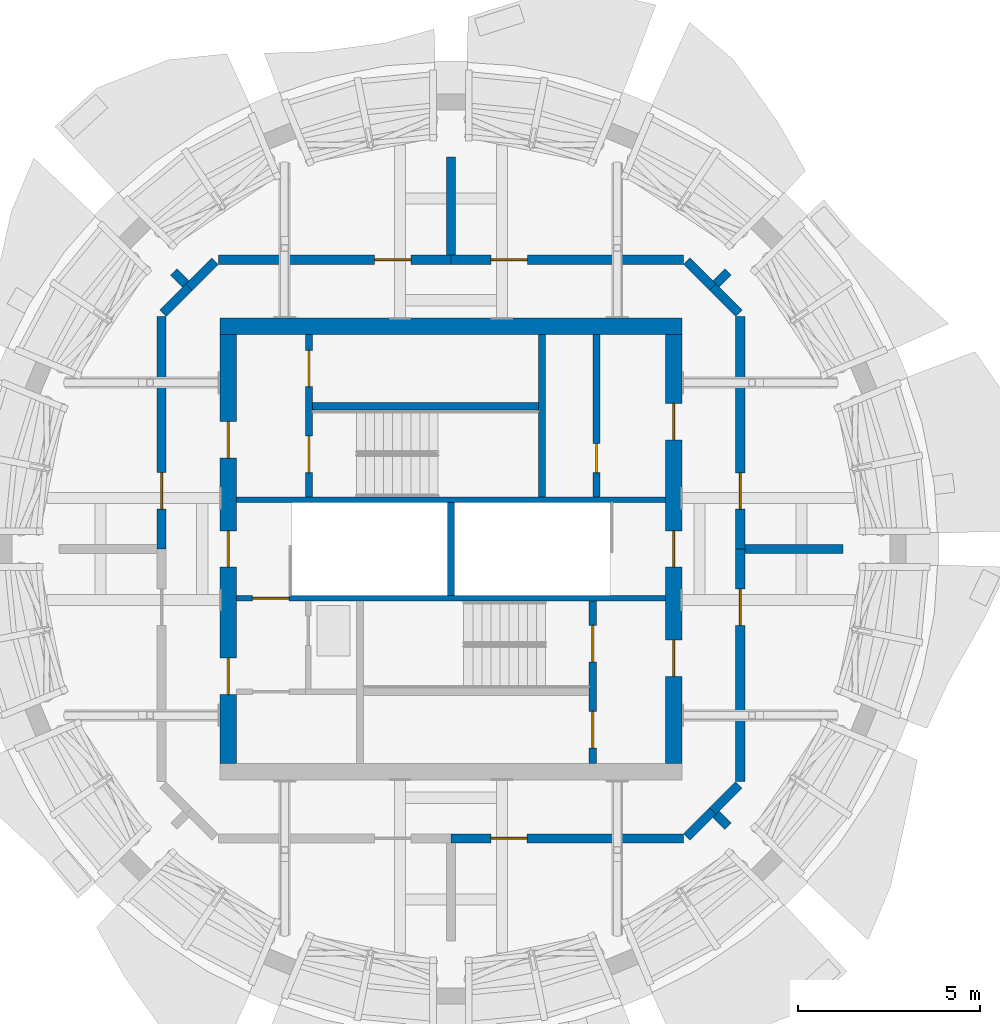
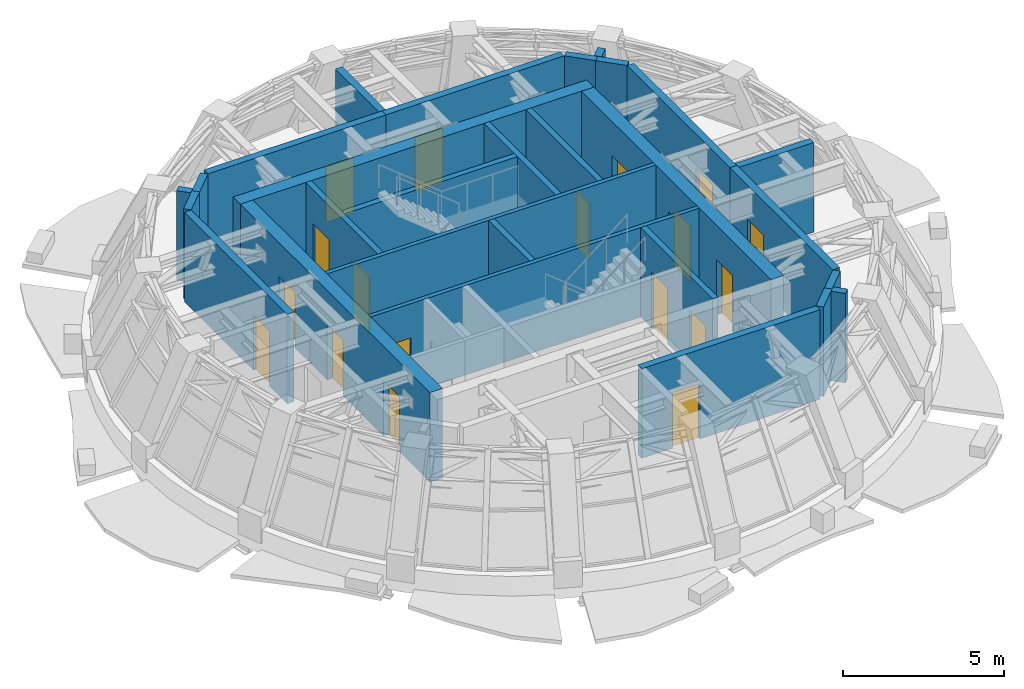
# One storey, part 9 of 12: 28 walls, 18 doors, 18 openings.
"""IFC4 building model written with IfcOpenShell, lengths in metres."""

import ifcopenshell
import ifcopenshell.guid

model = None  # the IFC model being written
_history = None  # IfcOwnerHistory: only IFC2X3 demands one
_inside = {}  # id of a spatial element -> (the spatial element, [elements in it])
_under = {}  # id of a project, library or spatial element -> (it, [spatial elements below it])
_declared = {}  # id of a project -> (the project, [libraries it declares])
_typed = {}  # id of a type object -> (the type object, [elements of that type])
_made_of = {}  # id of a material, layer set ... -> (it, [elements and type objects made of it])


def new_model(schema):
    """Start an empty IFC model of exactly this schema.

    Asked for "IFC4X3", IfcOpenShell would pick the latest addendum, in which some entities
    have other attributes; the version numbers below select the first issue.
    IFC2X3 requires an IfcOwnerHistory on every rooted entity: one is made here for all.
    """
    global model, _history
    if schema == "IFC4X3":
        model = ifcopenshell.file(schema_version=(4, 3, 0, 0))
    else:
        model = ifcopenshell.file(schema=schema)
    _inside.clear()
    _under.clear()
    _declared.clear()
    _typed.clear()
    _made_of.clear()
    _history = None
    if model.schema == "IFC2X3":
        org = make("IfcOrganization", Name="unknown")
        user = make(
            "IfcPersonAndOrganization",
            ThePerson=make("IfcPerson", FamilyName="unknown"),
            TheOrganization=org,
        )
        app = make(
            "IfcApplication",
            ApplicationDeveloper=org,
            Version="unknown",
            ApplicationFullName="unknown",
            ApplicationIdentifier="unknown",
        )
        _history = make(
            "IfcOwnerHistory",
            OwningUser=user,
            OwningApplication=app,
            ChangeAction="ADDED",
            CreationDate=0,
        )
    return model


def make(cls, **values):
    """One entity of the class cls with the attributes given. An attribute that is None is left unset."""
    return model.create_entity(
        cls, **{name: value for name, value in values.items() if value is not None}
    )


def rooted(cls, **values):
    """An entity with a GlobalId (a new one), such as an element, a storey or a relation."""
    return make(cls, GlobalId=ifcopenshell.guid.new(), OwnerHistory=_history, **values)


def si_unit(unit_type, name, prefix=None):
    """IfcSIUnit, for example si_unit("LENGTHUNIT", "METRE", prefix="MILLI")."""
    return make("IfcSIUnit", UnitType=unit_type, Prefix=prefix, Name=name)


def assignment(units):
    """IfcUnitAssignment: the units of a project."""
    return None if units is None else make("IfcUnitAssignment", Units=units)


def point(xyz):
    """IfcCartesianPoint."""
    return None if xyz is None else make("IfcCartesianPoint", Coordinates=xyz)


def direction(xyz):
    """IfcDirection."""
    return None if xyz is None else make("IfcDirection", DirectionRatios=xyz)


def frame(location, z_axis=None, x_axis=None):
    """IfcAxis2Placement3D, a coordinate frame: its origin and axes. An axis left out is left unset."""
    return make(
        "IfcAxis2Placement3D",
        Location=point(location),
        Axis=direction(z_axis),
        RefDirection=direction(x_axis),
    )


def frame_2d(location, x_axis=None):
    """IfcAxis2Placement2D, a coordinate frame in the plane: its origin and x axis."""
    return make(
        "IfcAxis2Placement2D", Location=point(location), RefDirection=direction(x_axis)
    )


def origin():
    """The frame at (0, 0, 0) with its axes left unset."""
    return frame((0.0, 0.0, 0.0))


def place(relative_to, where):
    """IfcLocalPlacement: puts the frame where relative to a parent placement (None: the world)."""
    return make(
        "IfcLocalPlacement", PlacementRelTo=relative_to, RelativePlacement=where
    )


def context(
    kind, dimensions, precision=None, world=None, true_north=None, identifier=None
):
    """IfcGeometricRepresentationContext, for example the 3D "Model" context."""
    return make(
        "IfcGeometricRepresentationContext",
        ContextIdentifier=identifier,
        ContextType=kind,
        CoordinateSpaceDimension=dimensions,
        Precision=precision,
        WorldCoordinateSystem=world,
        TrueNorth=true_north,
    )


def subcontext(parent, identifier, kind, view, scale=None):
    """IfcGeometricRepresentationSubContext, for example "Body" below "Model"."""
    return make(
        "IfcGeometricRepresentationSubContext",
        ContextIdentifier=identifier,
        ContextType=kind,
        ParentContext=parent,
        TargetScale=scale,
        TargetView=view,
    )


def project(units=None, contexts=None):
    """IfcProject with its units and contexts."""
    return rooted(
        "IfcProject",
        Name="project",
        RepresentationContexts=contexts,
        UnitsInContext=assignment(units),
    )


def spatial(cls, under=None, at=None, **own):
    """A site, building, storey or space (cls), placed at a placement, below another one or the project."""
    s = rooted(cls, ObjectPlacement=at, **own)
    if under is not None:
        _under.setdefault(under.id(), (under, []))[1].append(s)
    return s


def profile(cls, at=None, kind="AREA", **sizes):
    """A parametric profile (cls). Its sizes go by their IFC names, for example OverallWidth=200.0."""
    return make(cls, ProfileType=kind, Position=at, **sizes)


def rectangle(**sizes):
    """IfcRectangleProfileDef."""
    return profile("IfcRectangleProfileDef", **sizes)


def extrude(swept, where, along, depth):
    """IfcExtrudedAreaSolid: the profile swept, set in the frame where, extruded along a direction by depth."""
    return make(
        "IfcExtrudedAreaSolid",
        SweptArea=swept,
        Position=where,
        ExtrudedDirection=direction(along),
        Depth=depth,
    )


def shape(context_of_items, identifier, shape_type, items):
    """IfcShapeRepresentation: the items that make up one representation, for example the "Body"."""
    return make(
        "IfcShapeRepresentation",
        ContextOfItems=context_of_items,
        RepresentationIdentifier=identifier,
        RepresentationType=shape_type,
        Items=items,
    )


def material(Name=None, Category=None):
    """IfcMaterial."""
    return make("IfcMaterial", Name=Name, Category=Category)


def layer(
    of_material, thickness, ventilated=None, Name=None, Category=None, Priority=None
):
    """IfcMaterialLayer: one layer of a wall or slab, of a material (None: an air gap)."""
    return make(
        "IfcMaterialLayer",
        Material=of_material,
        LayerThickness=thickness,
        IsVentilated=ventilated,
        Name=Name,
        Category=Category,
        Priority=Priority,
    )


def layer_set(layers, Name=None):
    """IfcMaterialLayerSet."""
    return make("IfcMaterialLayerSet", MaterialLayers=layers, LayerSetName=Name)


def made_of(thing, what):
    """Note that an element or type object is made of a material, layer set ...; save() writes the relation."""
    if what is not None:
        _made_of.setdefault(what.id(), (what, []))[1].append(thing)
    return thing


def type_object(cls, material=None, **own):
    """A type object (cls), such as IfcWallType, which elements share."""
    return made_of(rooted(cls, **own), material)


def element(
    cls,
    number,
    at=None,
    inside=None,
    cuts=None,
    type_object=None,
    material=None,
    context=None,
    identifier="Body",
    shape_type=None,
    held_by="IfcProductDefinitionShape",
    body=None,
    shapes=None,
    **own,
):
    """One element of the class cls, such as IfcWall. Its Tag is "e" and its number.

    at: its placement. inside: the storey or other place that contains it. cuts: it is an
    opening in that element (IfcRelVoidsElement). A single representation is given by context,
    identifier, shape_type and body (its items); several are given by shapes. held_by: the class
    of the entity that holds the representations. save() writes the other relations.
    """
    e = rooted(cls, Tag="e%d" % number, ObjectPlacement=at, **own)
    if body is not None:
        shapes = [shape(context, identifier, shape_type, body)]
    if shapes is not None:
        e.Representation = make(held_by, Representations=shapes)
    if inside is not None:
        _inside.setdefault(inside.id(), (inside, []))[1].append(e)
    if cuts is not None:
        rooted(
            "IfcRelVoidsElement", RelatingBuildingElement=cuts, RelatedOpeningElement=e
        )
    if type_object is not None:
        _typed.setdefault(type_object.id(), (type_object, []))[1].append(e)
    return made_of(e, material)


def fill(opening, filler):
    """IfcRelFillsElement: the door or window that sits in an opening."""
    return rooted(
        "IfcRelFillsElement",
        RelatingOpeningElement=opening,
        RelatedBuildingElement=filler,
    )


def aggregate(whole, parts):
    """IfcRelAggregates: a whole, such as a stair, and the parts it consists of."""
    return rooted("IfcRelAggregates", RelatingObject=whole, RelatedObjects=parts)


def save(model, path):
    """Write the relations noted so far, then the file.

    IfcRelAggregates (storeys below a building ...), IfcRelContainedInSpatialStructure (elements
    in a storey), IfcRelDefinesByType, IfcRelAssociatesMaterial and IfcRelDeclares: one each for
    every whole, place, type object, material and project.
    """
    for whole, parts in _under.values():
        aggregate(whole, parts)
    for where, things in _inside.values():
        rooted(
            "IfcRelContainedInSpatialStructure",
            RelatedElements=things,
            RelatingStructure=where,
        )
    for kind, things in _typed.values():
        rooted("IfcRelDefinesByType", RelatedObjects=things, RelatingType=kind)
    for what, things in _made_of.values():
        rooted("IfcRelAssociatesMaterial", RelatedObjects=things, RelatingMaterial=what)
    for by, libraries in _declared.values():
        rooted("IfcRelDeclares", RelatingContext=by, RelatedDefinitions=libraries)
    model.write(path)


model = new_model("IFC4")

# Units and contexts
model_context = context("Model", 3, precision=1e-05, world=origin(), true_north=direction((0.0, 1.0)))
body_context = subcontext(model_context, "Body", "Model", "MODEL_VIEW")
ifc_project = project(units=[si_unit("LENGTHUNIT", "METRE"), si_unit("AREAUNIT", "SQUARE_METRE"), si_unit("VOLUMEUNIT", "CUBIC_METRE"), si_unit("PLANEANGLEUNIT", "RADIAN"), si_unit("MASSUNIT", "GRAM", prefix="KILO")], contexts=[model_context])

# Site, building, storey
site_placement = place(None, origin())
site = spatial("IfcSite", under=ifc_project, at=site_placement, CompositionType="ELEMENT")
building_placement = place(site_placement, origin())
building = spatial("IfcBuilding", under=site, at=building_placement, Name="Polderwave Tower", CompositionType="ELEMENT")
storey_placement = place(building_placement, frame((0.0, 0.0, 235.39990234375)))
storey = spatial("IfcBuildingStorey", under=building, at=storey_placement, Name="L64", CompositionType="ELEMENT", Elevation=235.39990234375)

# Wall
ifc_material_1 = material(Name="Concrete C60/75", Category="concrete")
ifc_layer_1 = layer(ifc_material_1, 0.449951171875)
ifc_layer_set_1 = layer_set([ifc_layer_1], Name="CORE WALL 450 C60/75")
wall_type_1 = type_object("IfcWallType", Name="CORE WALL 450 C60/75", PredefinedType="SHEAR", material=ifc_layer_set_1)
wall_1_placement = place(storey_placement, frame((-6.35009765625, 6.125, 0.0), z_axis=(0.0, 0.0, 1.0), x_axis=(1.0, 0.0, 0.0)))
element("IfcWall", 1, at=wall_1_placement, inside=storey, type_object=wall_type_1, Name="ST-CORE-L64-N", PredefinedType="SHEAR", context=body_context, shape_type="SweptSolid", body=[
    extrude(rectangle(XDim=12.7001953125, YDim=0.449951171875, at=frame_2d((6.35009765625, 0.0))), origin(), (0.0, 0.0, 1.0), 3.400146484375),
])

# Wall, openings, doors
wall_2_placement = place(storey_placement, frame((-6.125, -5.89990234375, 0.0), z_axis=(0.0, 0.0, 1.0), x_axis=(0.0, 1.0, 0.0)))
wall_2 = element("IfcWall", 2, at=wall_2_placement, inside=storey, type_object=wall_type_1, Name="ST-CORE-L64-W", PredefinedType="SHEAR", context=body_context, shape_type="SweptSolid", body=[
    extrude(rectangle(XDim=11.7998046875, YDim=0.449951171875, at=frame_2d((5.89990234375, 0.0))), origin(), (0.0, 0.0, 1.0), 3.400146484375),
])
opening_1_placement = place(wall_2_placement, frame((5.39990234375, 0.0, 0.0)))
opening_1 = element("IfcOpeningElement", 3, at=opening_1_placement, cuts=wall_2, Name="Opening L64-D09", PredefinedType="OPENING", context=body_context, shape_type="SweptSolid", body=[
    extrude(rectangle(XDim=1.0, YDim=2.10009765625, at=frame_2d((0.5, 1.050048828125))), frame((0.0, 0.23486328125, 0.0), z_axis=(0.0, -1.0, 0.0), x_axis=(1.0, 0.0, 0.0)), (0.0, 0.0, 1.0), 0.469970703125),
])
opening_2_placement = place(wall_2_placement, frame((8.39990234375, 0.0, 0.0)))
opening_2 = element("IfcOpeningElement", 4, at=opening_2_placement, cuts=wall_2, Name="Opening L64-D11", PredefinedType="OPENING", context=body_context, shape_type="SweptSolid", body=[
    extrude(rectangle(XDim=1.0, YDim=2.10009765625, at=frame_2d((0.5, 1.050048828125))), frame((0.0, 0.23486328125, 0.0), z_axis=(0.0, -1.0, 0.0), x_axis=(1.0, 0.0, 0.0)), (0.0, 0.0, 1.0), 0.469970703125),
])
opening_3_placement = place(wall_2_placement, frame((1.89990234375, 0.0, 0.0)))
opening_3 = element("IfcOpeningElement", 5, at=opening_3_placement, cuts=wall_2, Name="Opening L64-D14", PredefinedType="OPENING", context=body_context, shape_type="SweptSolid", body=[
    extrude(rectangle(XDim=1.0, YDim=2.10009765625, at=frame_2d((0.5, 1.050048828125))), frame((0.0, 0.23486328125, 0.0), z_axis=(0.0, -1.0, 0.0), x_axis=(1.0, 0.0, 0.0)), (0.0, 0.0, 1.0), 0.469970703125),
])
ifc_material_2 = material(Name="Timber door leaf", Category="wood")
door_type_1 = type_object("IfcDoorType", Name="Room door 1000", OperationType="NOTDEFINED", PredefinedType="DOOR", material=ifc_material_2)
door_1_placement = place(opening_3_placement, origin())
door_1 = element("IfcDoor", 6, at=door_1_placement, inside=storey, type_object=door_type_1, Name="Plant room entry door", OperationType="SINGLE_SWING_LEFT", OverallHeight=2.10009765625, OverallWidth=1.0, PredefinedType="DOOR", context=body_context, shape_type="SweptSolid", body=[
    extrude(rectangle(XDim=1.0, YDim=2.10009765625, at=frame_2d((0.5, 1.050048828125))), frame((0.0, 0.02490234375, 0.0), z_axis=(0.0, -1.0, 0.0), x_axis=(1.0, 0.0, 0.0)), (0.0, 0.0, 1.0), 0.050048828125),
])
fill(opening_3, door_1)
ifc_material_3 = material(Name="Steel fire door", Category="steel")
door_type_2 = type_object("IfcDoorType", Name="Stair door 1000", OperationType="NOTDEFINED", PredefinedType="DOOR", material=ifc_material_3)
door_2_placement = place(opening_1_placement, origin())
door_2 = element("IfcDoor", 7, at=door_2_placement, inside=storey, type_object=door_type_2, Name="Stair A exit door", OperationType="SINGLE_SWING_RIGHT", OverallHeight=2.10009765625, OverallWidth=1.0, PredefinedType="DOOR", context=body_context, shape_type="SweptSolid", body=[
    extrude(rectangle(XDim=1.0, YDim=2.10009765625, at=frame_2d((0.5, 1.050048828125))), frame((0.0, 0.02490234375, 0.0), z_axis=(0.0, -1.0, 0.0), x_axis=(1.0, 0.0, 0.0)), (0.0, 0.0, 1.0), 0.050048828125),
])
fill(opening_1, door_2)
door_3_placement = place(opening_2_placement, origin())
door_3 = element("IfcDoor", 8, at=door_3_placement, inside=storey, type_object=door_type_2, Name="Crown stair lobby entry door", OperationType="SINGLE_SWING_RIGHT", OverallHeight=2.10009765625, OverallWidth=1.0, PredefinedType="DOOR", context=body_context, shape_type="SweptSolid", body=[
    extrude(rectangle(XDim=1.0, YDim=2.10009765625, at=frame_2d((0.5, 1.050048828125))), frame((0.0, 0.02490234375, 0.0), z_axis=(0.0, -1.0, 0.0), x_axis=(1.0, 0.0, 0.0)), (0.0, 0.0, 1.0), 0.050048828125),
])
fill(opening_2, door_3)

wall_3_placement = place(storey_placement, frame((6.125, -5.89990234375, 0.0), z_axis=(0.0, 0.0, 1.0), x_axis=(0.0, 1.0, 0.0)))
wall_3 = element("IfcWall", 9, at=wall_3_placement, inside=storey, type_object=wall_type_1, Name="ST-CORE-L64-E", PredefinedType="SHEAR", context=body_context, shape_type="SweptSolid", body=[
    extrude(rectangle(XDim=11.7998046875, YDim=0.449951171875, at=frame_2d((5.89990234375, 0.0))), origin(), (0.0, 0.0, 1.0), 3.400146484375),
])
opening_4_placement = place(wall_3_placement, frame((5.39990234375, 0.0, 0.0)))
opening_4 = element("IfcOpeningElement", 10, at=opening_4_placement, cuts=wall_3, Name="Opening L64-D10", PredefinedType="OPENING", context=body_context, shape_type="SweptSolid", body=[
    extrude(rectangle(XDim=1.0, YDim=2.10009765625, at=frame_2d((0.5, 1.050048828125))), frame((0.0, 0.23486328125, 0.0), z_axis=(0.0, -1.0, 0.0), x_axis=(1.0, 0.0, 0.0)), (0.0, 0.0, 1.0), 0.469970703125),
])
opening_5_placement = place(wall_3_placement, frame((2.39990234375, 0.0, 0.0)))
opening_5 = element("IfcOpeningElement", 11, at=opening_5_placement, cuts=wall_3, Name="Opening L64-D12", PredefinedType="OPENING", context=body_context, shape_type="SweptSolid", body=[
    extrude(rectangle(XDim=1.0, YDim=2.10009765625, at=frame_2d((0.5, 1.050048828125))), frame((0.0, 0.23486328125, 0.0), z_axis=(0.0, -1.0, 0.0), x_axis=(1.0, 0.0, 0.0)), (0.0, 0.0, 1.0), 0.469970703125),
])
opening_6_placement = place(wall_3_placement, frame((8.89990234375, 0.0, 0.0)))
opening_6 = element("IfcOpeningElement", 12, at=opening_6_placement, cuts=wall_3, Name="Opening L64-D13", PredefinedType="OPENING", context=body_context, shape_type="SweptSolid", body=[
    extrude(rectangle(XDim=1.0, YDim=2.10009765625, at=frame_2d((0.5, 1.050048828125))), frame((0.0, 0.23486328125, 0.0), z_axis=(0.0, -1.0, 0.0), x_axis=(1.0, 0.0, 0.0)), (0.0, 0.0, 1.0), 0.469970703125),
])
door_4_placement = place(opening_6_placement, frame((1.0, 0.0, 0.0), z_axis=(0.0, 0.0, 1.0), x_axis=(-1.0, 0.0, 0.0)))
door_4 = element("IfcDoor", 13, at=door_4_placement, inside=storey, type_object=door_type_1, Name="Plant room entry door", OperationType="SINGLE_SWING_LEFT", OverallHeight=2.10009765625, OverallWidth=1.0, PredefinedType="DOOR", context=body_context, shape_type="SweptSolid", body=[
    extrude(rectangle(XDim=1.0, YDim=2.10009765625, at=frame_2d((0.5, 1.050048828125))), frame((0.0, 0.02490234375, 0.0), z_axis=(0.0, -1.0, 0.0), x_axis=(1.0, 0.0, 0.0)), (0.0, 0.0, 1.0), 0.050048828125),
])
fill(opening_6, door_4)
door_5_placement = place(opening_4_placement, frame((1.0, 0.0, 0.0), z_axis=(0.0, 0.0, 1.0), x_axis=(-1.0, 0.0, 0.0)))
door_5 = element("IfcDoor", 14, at=door_5_placement, inside=storey, type_object=door_type_2, Name="Stair B exit door", OperationType="SINGLE_SWING_LEFT", OverallHeight=2.10009765625, OverallWidth=1.0, PredefinedType="DOOR", context=body_context, shape_type="SweptSolid", body=[
    extrude(rectangle(XDim=1.0, YDim=2.10009765625, at=frame_2d((0.5, 1.050048828125))), frame((0.0, 0.02490234375, 0.0), z_axis=(0.0, -1.0, 0.0), x_axis=(1.0, 0.0, 0.0)), (0.0, 0.0, 1.0), 0.050048828125),
])
fill(opening_4, door_5)
door_6_placement = place(opening_5_placement, frame((1.0, 0.0, 0.0), z_axis=(0.0, 0.0, 1.0), x_axis=(-1.0, 0.0, 0.0)))
door_6 = element("IfcDoor", 15, at=door_6_placement, inside=storey, type_object=door_type_2, Name="Crown stair lobby entry door", OperationType="SINGLE_SWING_RIGHT", OverallHeight=2.10009765625, OverallWidth=1.0, PredefinedType="DOOR", context=body_context, shape_type="SweptSolid", body=[
    extrude(rectangle(XDim=1.0, YDim=2.10009765625, at=frame_2d((0.5, 1.050048828125))), frame((0.0, 0.02490234375, 0.0), z_axis=(0.0, -1.0, 0.0), x_axis=(1.0, 0.0, 0.0)), (0.0, 0.0, 1.0), 0.050048828125),
])
fill(opening_5, door_6)

# Wall
ifc_material_4 = material(Name="Gypsum board partition")
ifc_layer_2 = layer(ifc_material_4, 0.199951171875)
ifc_layer_set_2 = layer_set([ifc_layer_2], Name="Core room partition 200")
wall_type_2 = type_object("IfcWallType", Name="Core room partition 200", PredefinedType="PARTITIONING", material=ifc_layer_set_2)
wall_4_placement = place(storey_placement, frame((0.0, -1.27490234375, 0.0), z_axis=(0.0, 0.0, 1.0), x_axis=(0.0, 1.0, 0.0)))
element("IfcWall", 16, at=wall_4_placement, inside=storey, type_object=wall_type_2, Name="L64 wall between the stairs", PredefinedType="PARTITIONING", context=body_context, shape_type="SweptSolid", body=[
    extrude(rectangle(XDim=2.5498046875, YDim=0.199951171875, at=frame_2d((1.27490234375, 0.0))), origin(), (0.0, 0.0, 1.0), 3.400146484375),
])

# Wall, opening, door
wall_5_placement = place(storey_placement, frame((4.0, 1.425048828125, 0.0), z_axis=(0.0, 0.0, 1.0), x_axis=(0.0, 1.0, 0.0)))
wall_5 = element("IfcWall", 17, at=wall_5_placement, inside=storey, type_object=wall_type_2, Name="L64 riser east wall", PredefinedType="PARTITIONING", context=body_context, shape_type="SweptSolid", body=[
    extrude(rectangle(XDim=4.474853515625, YDim=0.199951171875, at=frame_2d((2.2373046875, 0.0))), origin(), (0.0, 0.0, 1.0), 3.400146484375),
])
opening_7_placement = place(wall_5_placement, frame((0.675048828125, 0.0, 0.0)))
opening_7 = element("IfcOpeningElement", 18, at=opening_7_placement, cuts=wall_5, Name="Opening L64-D08", PredefinedType="OPENING", context=body_context, shape_type="SweptSolid", body=[
    extrude(rectangle(XDim=0.800048828125, YDim=2.10009765625, at=frame_2d((0.39990234375, 1.050048828125))), frame((0.0, 0.10986328125, 0.0), z_axis=(0.0, -1.0, 0.0), x_axis=(1.0, 0.0, 0.0)), (0.0, 0.0, 1.0), 0.219970703125),
])
door_type_3 = type_object("IfcDoorType", Name="Riser door 800", OperationType="NOTDEFINED", PredefinedType="DOOR", material=ifc_material_3)
door_7_placement = place(opening_7_placement, frame((0.800048828125, 0.0, 0.0), z_axis=(0.0, 0.0, 1.0), x_axis=(-1.0, 0.0, 0.0)))
door_7 = element("IfcDoor", 19, at=door_7_placement, inside=storey, type_object=door_type_3, Name="Riser door", OperationType="SINGLE_SWING_RIGHT", OverallHeight=2.10009765625, OverallWidth=0.800048828125, PredefinedType="DOOR", context=body_context, shape_type="SweptSolid", body=[
    extrude(rectangle(XDim=0.800048828125, YDim=2.10009765625, at=frame_2d((0.39990234375, 1.050048828125))), frame((0.0, 0.02490234375, 0.0), z_axis=(0.0, -1.0, 0.0), x_axis=(1.0, 0.0, 0.0)), (0.0, 0.0, 1.0), 0.050048828125),
])
fill(opening_7, door_7)

ifc_material_5 = material(Name="Concrete C50/60", Category="concrete")
ifc_layer_3 = layer(ifc_material_5, 0.14990234375)
ifc_layer_set_3 = layer_set([ifc_layer_3], Name="Core web wall 150")
wall_type_3 = type_object("IfcWallType", Name="Core web wall 150", PredefinedType="SHEAR", material=ifc_layer_set_3)
wall_6_placement = place(storey_placement, frame((-5.89990234375, -1.35009765625, 0.0), z_axis=(0.0, 0.0, 1.0), x_axis=(1.0, 0.0, 0.0)))
wall_6 = element("IfcWall", 20, at=wall_6_placement, inside=storey, type_object=wall_type_3, Name="L64 south stair wall", PredefinedType="SHEAR", context=body_context, shape_type="SweptSolid", body=[
    extrude(rectangle(XDim=11.7998046875, YDim=0.14990234375, at=frame_2d((5.89990234375, 0.0))), origin(), (0.0, 0.0, 1.0), 3.400146484375),
])
opening_8_placement = place(wall_6_placement, frame((0.449951171875, 0.0, 0.0)))
opening_8 = element("IfcOpeningElement", 21, at=opening_8_placement, cuts=wall_6, Name="Opening L64-D02", PredefinedType="OPENING", context=body_context, shape_type="SweptSolid", body=[
    extrude(rectangle(XDim=1.0, YDim=2.10009765625, at=frame_2d((0.5, 1.050048828125))), frame((0.0, 0.0849609375, 0.0), z_axis=(0.0, -1.0, 0.0), x_axis=(1.0, 0.0, 0.0)), (0.0, 0.0, 1.0), 0.169921875),
])
door_8_placement = place(opening_8_placement, origin())
door_8 = element("IfcDoor", 22, at=door_8_placement, inside=storey, type_object=door_type_2, Name="Crown lift lobby door to stair A", OperationType="SINGLE_SWING_LEFT", OverallHeight=2.10009765625, OverallWidth=1.0, PredefinedType="DOOR", context=body_context, shape_type="SweptSolid", body=[
    extrude(rectangle(XDim=1.0, YDim=2.10009765625, at=frame_2d((0.5, 1.050048828125))), frame((0.0, 0.02490234375, 0.0), z_axis=(0.0, -1.0, 0.0), x_axis=(1.0, 0.0, 0.0)), (0.0, 0.0, 1.0), 0.050048828125),
])
fill(opening_8, door_8)

# Wall
wall_7_placement = place(storey_placement, frame((-5.89990234375, 1.35009765625, 0.0), z_axis=(0.0, 0.0, 1.0), x_axis=(1.0, 0.0, 0.0)))
element("IfcWall", 23, at=wall_7_placement, inside=storey, type_object=wall_type_3, Name="L64 north stair wall", PredefinedType="SHEAR", context=body_context, shape_type="SweptSolid", body=[
    extrude(rectangle(XDim=11.7998046875, YDim=0.14990234375, at=frame_2d((5.89990234375, 0.0))), origin(), (0.0, 0.0, 1.0), 3.400146484375),
])

# Wall, openings, doors
ifc_layer_4 = layer(ifc_material_5, 0.199951171875)
ifc_layer_set_4 = layer_set([ifc_layer_4], Name="Core web wall 200")
wall_type_4 = type_object("IfcWallType", Name="Core web wall 200", PredefinedType="SHEAR", material=ifc_layer_set_4)
wall_8_placement = place(storey_placement, frame((-3.89990234375, 1.425048828125, 0.0), z_axis=(0.0, 0.0, 1.0), x_axis=(0.0, 1.0, 0.0)))
wall_8 = element("IfcWall", 24, at=wall_8_placement, inside=storey, type_object=wall_type_4, Name="L64 N crown stair west wall", PredefinedType="SHEAR", context=body_context, shape_type="SweptSolid", body=[
    extrude(rectangle(XDim=4.474853515625, YDim=0.199951171875, at=frame_2d((2.2373046875, 0.0))), origin(), (0.0, 0.0, 1.0), 3.400146484375),
])
opening_9_placement = place(wall_8_placement, frame((0.675048828125, 0.0, 0.0)))
opening_9 = element("IfcOpeningElement", 25, at=opening_9_placement, cuts=wall_8, Name="Opening L64-D04", PredefinedType="OPENING", context=body_context, shape_type="SweptSolid", body=[
    extrude(rectangle(XDim=1.0, YDim=2.10009765625, at=frame_2d((0.5, 1.050048828125))), frame((0.0, 0.10986328125, 0.0), z_axis=(0.0, -1.0, 0.0), x_axis=(1.0, 0.0, 0.0)), (0.0, 0.0, 1.0), 0.219970703125),
])
opening_10_placement = place(wall_8_placement, frame((3.03759765625, 0.0, 0.0)))
opening_10 = element("IfcOpeningElement", 26, at=opening_10_placement, cuts=wall_8, Name="Opening L64-D06", PredefinedType="OPENING", context=body_context, shape_type="SweptSolid", body=[
    extrude(rectangle(XDim=1.0, YDim=2.10009765625, at=frame_2d((0.5, 1.050048828125))), frame((0.0, 0.10986328125, 0.0), z_axis=(0.0, -1.0, 0.0), x_axis=(1.0, 0.0, 0.0)), (0.0, 0.0, 1.0), 0.219970703125),
])
door_9_placement = place(opening_10_placement, frame((1.0, 0.0, 0.0), z_axis=(0.0, 0.0, 1.0), x_axis=(-1.0, 0.0, 0.0)))
door_9 = element("IfcDoor", 27, at=door_9_placement, inside=storey, type_object=door_type_1, Name="Plant room door", OperationType="SINGLE_SWING_LEFT", OverallHeight=2.10009765625, OverallWidth=1.0, PredefinedType="DOOR", context=body_context, shape_type="SweptSolid", body=[
    extrude(rectangle(XDim=1.0, YDim=2.10009765625, at=frame_2d((0.5, 1.050048828125))), frame((0.0, 0.02490234375, 0.0), z_axis=(0.0, -1.0, 0.0), x_axis=(1.0, 0.0, 0.0)), (0.0, 0.0, 1.0), 0.050048828125),
])
fill(opening_10, door_9)
door_10_placement = place(opening_9_placement, origin())
door_10 = element("IfcDoor", 28, at=door_10_placement, inside=storey, type_object=door_type_2, Name="Crown stair S1 door", OperationType="SINGLE_SWING_LEFT", OverallHeight=2.10009765625, OverallWidth=1.0, PredefinedType="DOOR", context=body_context, shape_type="SweptSolid", body=[
    extrude(rectangle(XDim=1.0, YDim=2.10009765625, at=frame_2d((0.5, 1.050048828125))), frame((0.0, 0.02490234375, 0.0), z_axis=(0.0, -1.0, 0.0), x_axis=(1.0, 0.0, 0.0)), (0.0, 0.0, 1.0), 0.050048828125),
])
fill(opening_9, door_10)

# Walls
wall_9_placement = place(storey_placement, frame((-3.800048828125, 3.925048828125, 0.0), z_axis=(0.0, 0.0, 1.0), x_axis=(1.0, 0.0, 0.0)))
element("IfcWall", 29, at=wall_9_placement, inside=storey, type_object=wall_type_4, Name="L64 N crown stair end wall", PredefinedType="SHEAR", context=body_context, shape_type="SweptSolid", body=[
    extrude(rectangle(XDim=6.199951171875, YDim=0.199951171875, at=frame_2d((3.10009765625, 0.0))), origin(), (0.0, 0.0, 1.0), 3.400146484375),
])
wall_10_placement = place(storey_placement, frame((2.5, 1.425048828125, 0.0), z_axis=(0.0, 0.0, 1.0), x_axis=(0.0, 1.0, 0.0)))
element("IfcWall", 30, at=wall_10_placement, inside=storey, type_object=wall_type_4, Name="L64 N crown stair east wall", PredefinedType="SHEAR", context=body_context, shape_type="SweptSolid", body=[
    extrude(rectangle(XDim=4.474853515625, YDim=0.199951171875, at=frame_2d((2.2373046875, 0.0))), origin(), (0.0, 0.0, 1.0), 3.400146484375),
])

# Wall, openings, doors
wall_11_placement = place(storey_placement, frame((3.89990234375, -1.425048828125, 0.0), z_axis=(0.0, 0.0, 1.0), x_axis=(0.0, -1.0, 0.0)))
wall_11 = element("IfcWall", 31, at=wall_11_placement, inside=storey, type_object=wall_type_4, Name="L64 S crown stair west wall", PredefinedType="SHEAR", context=body_context, shape_type="SweptSolid", body=[
    extrude(rectangle(XDim=4.474853515625, YDim=0.199951171875, at=frame_2d((2.2373046875, 0.0))), origin(), (0.0, 0.0, 1.0), 3.400146484375),
])
opening_11_placement = place(wall_11_placement, frame((0.675048828125, 0.0, 0.0)))
opening_11 = element("IfcOpeningElement", 32, at=opening_11_placement, cuts=wall_11, Name="Opening L64-D05", PredefinedType="OPENING", context=body_context, shape_type="SweptSolid", body=[
    extrude(rectangle(XDim=1.0, YDim=2.10009765625, at=frame_2d((0.5, 1.050048828125))), frame((0.0, 0.10986328125, 0.0), z_axis=(0.0, -1.0, 0.0), x_axis=(1.0, 0.0, 0.0)), (0.0, 0.0, 1.0), 0.219970703125),
])
opening_12_placement = place(wall_11_placement, frame((3.03759765625, 0.0, 0.0)))
opening_12 = element("IfcOpeningElement", 33, at=opening_12_placement, cuts=wall_11, Name="Opening L64-D07", PredefinedType="OPENING", context=body_context, shape_type="SweptSolid", body=[
    extrude(rectangle(XDim=1.0, YDim=2.10009765625, at=frame_2d((0.5, 1.050048828125))), frame((0.0, 0.10986328125, 0.0), z_axis=(0.0, -1.0, 0.0), x_axis=(1.0, 0.0, 0.0)), (0.0, 0.0, 1.0), 0.219970703125),
])
door_11_placement = place(opening_12_placement, frame((1.0, 0.0, 0.0), z_axis=(0.0, 0.0, 1.0), x_axis=(-1.0, 0.0, 0.0)))
door_11 = element("IfcDoor", 34, at=door_11_placement, inside=storey, type_object=door_type_1, Name="Plant room door", OperationType="SINGLE_SWING_LEFT", OverallHeight=2.10009765625, OverallWidth=1.0, PredefinedType="DOOR", context=body_context, shape_type="SweptSolid", body=[
    extrude(rectangle(XDim=1.0, YDim=2.10009765625, at=frame_2d((0.5, 1.050048828125))), frame((0.0, 0.02490234375, 0.0), z_axis=(0.0, -1.0, 0.0), x_axis=(1.0, 0.0, 0.0)), (0.0, 0.0, 1.0), 0.050048828125),
])
fill(opening_12, door_11)
door_12_placement = place(opening_11_placement, origin())
door_12 = element("IfcDoor", 35, at=door_12_placement, inside=storey, type_object=door_type_2, Name="Crown stair S2 door", OperationType="SINGLE_SWING_LEFT", OverallHeight=2.10009765625, OverallWidth=1.0, PredefinedType="DOOR", context=body_context, shape_type="SweptSolid", body=[
    extrude(rectangle(XDim=1.0, YDim=2.10009765625, at=frame_2d((0.5, 1.050048828125))), frame((0.0, 0.02490234375, 0.0), z_axis=(0.0, -1.0, 0.0), x_axis=(1.0, 0.0, 0.0)), (0.0, 0.0, 1.0), 0.050048828125),
])
fill(opening_11, door_12)

# Wall
ifc_material_6 = material(Name="Fire-resisting board on steel studs, mineral wool", Category="steel")
ifc_layer_5 = layer(ifc_material_6, 0.25)
ifc_layer_set_5 = layer_set([ifc_layer_5], Name="Plant room wall 250 mm EI 120")
wall_type_5 = type_object("IfcWallType", Name="Plant room wall 250 mm EI 120", PredefinedType="PARTITIONING", material=ifc_layer_set_5)
wall_12_placement = place(storey_placement, frame((7.198486328125, 7.198486328125, 0.0), z_axis=(0.0, 0.0, 1.0), x_axis=(0.707106781187, -0.707106781187, 0.0)))
element("IfcWall", 36, at=wall_12_placement, inside=storey, type_object=wall_type_5, Name="IN-L64-W001", PredefinedType="PARTITIONING", context=body_context, shape_type="SweptSolid", body=[
    extrude(rectangle(XDim=1.010986328125, YDim=0.25, at=frame_2d((0.50537109375, 0.0))), origin(), (0.0, 0.0, 1.0), 3.400146484375),
])

# Wall, opening, door
wall_13_placement = place(storey_placement, frame((7.949951171875, 6.395263671875, 0.0), z_axis=(0.0, 0.0, 1.0), x_axis=(0.0, -1.0, 0.0)))
wall_13 = element("IfcWall", 37, at=wall_13_placement, inside=storey, type_object=wall_type_5, Name="IN-L64-W002", PredefinedType="PARTITIONING", context=body_context, shape_type="SweptSolid", body=[
    extrude(rectangle(XDim=6.395263671875, YDim=0.25, at=frame_2d((3.19775390625, 0.0))), origin(), (0.0, 0.0, 1.0), 3.400146484375),
])
opening_13_placement = place(wall_13_placement, frame((4.300048828125, 0.0, 0.0)))
opening_13 = element("IfcOpeningElement", 38, at=opening_13_placement, cuts=wall_13, Name="Opening L64-D50", PredefinedType="OPENING", context=body_context, shape_type="SweptSolid", body=[
    extrude(rectangle(XDim=1.0, YDim=2.10009765625, at=frame_2d((0.5, 1.050048828125))), frame((0.0, 0.135009765625, 0.0), z_axis=(0.0, -1.0, 0.0), x_axis=(1.0, 0.0, 0.0)), (0.0, 0.0, 1.0), 0.27001953125),
])
ifc_material_7 = material(Name="Steel plant door leaf", Category="steel")
door_type_4 = type_object("IfcDoorType", Name="Plant door FD60 1000 x 2100 steel", OperationType="NOTDEFINED", PredefinedType="DOOR", material=ifc_material_7)
door_13_placement = place(opening_13_placement, origin())
door_13 = element("IfcDoor", 39, at=door_13_placement, inside=storey, type_object=door_type_4, Name="Door L64-D50", OperationType="SINGLE_SWING_RIGHT", OverallHeight=2.10009765625, OverallWidth=1.0, PredefinedType="DOOR", context=body_context, shape_type="SweptSolid", body=[
    extrude(rectangle(XDim=1.0, YDim=2.10009765625, at=frame_2d((0.5, 1.050048828125))), frame((0.0, 0.02490234375, 0.0), z_axis=(0.0, -1.0, 0.0), x_axis=(1.0, 0.0, 0.0)), (0.0, 0.0, 1.0), 0.050048828125),
])
fill(opening_13, door_13)

# Wall
wall_14_placement = place(storey_placement, frame((7.913330078125, -6.483642578125, 0.0), z_axis=(0.0, 0.0, 1.0), x_axis=(-0.707106781187, -0.707106781187, 0.0)))
element("IfcWall", 40, at=wall_14_placement, inside=storey, type_object=wall_type_5, Name="IN-L64-W003", PredefinedType="PARTITIONING", context=body_context, shape_type="SweptSolid", body=[
    extrude(rectangle(XDim=1.010986328125, YDim=0.25, at=frame_2d((0.50537109375, 0.0))), origin(), (0.0, 0.0, 1.0), 3.400146484375),
])

# Wall, opening, door
wall_15_placement = place(storey_placement, frame((7.949951171875, 0.0, 0.0), z_axis=(0.0, 0.0, 1.0), x_axis=(0.0, -1.0, 0.0)))
wall_15 = element("IfcWall", 41, at=wall_15_placement, inside=storey, type_object=wall_type_5, Name="IN-L64-W004", PredefinedType="PARTITIONING", context=body_context, shape_type="SweptSolid", body=[
    extrude(rectangle(XDim=6.395263671875, YDim=0.25, at=frame_2d((3.19775390625, 0.0))), origin(), (0.0, 0.0, 1.0), 3.400146484375),
])
opening_14_placement = place(wall_15_placement, frame((1.10009765625, 0.0, 0.0)))
opening_14 = element("IfcOpeningElement", 42, at=opening_14_placement, cuts=wall_15, Name="Opening L64-D51", PredefinedType="OPENING", context=body_context, shape_type="SweptSolid", body=[
    extrude(rectangle(XDim=1.0, YDim=2.10009765625, at=frame_2d((0.5, 1.050048828125))), frame((0.0, 0.135009765625, 0.0), z_axis=(0.0, -1.0, 0.0), x_axis=(1.0, 0.0, 0.0)), (0.0, 0.0, 1.0), 0.27001953125),
])
door_14_placement = place(opening_14_placement, origin())
door_14 = element("IfcDoor", 43, at=door_14_placement, inside=storey, type_object=door_type_4, Name="Door L64-D51", OperationType="SINGLE_SWING_LEFT", OverallHeight=2.10009765625, OverallWidth=1.0, PredefinedType="DOOR", context=body_context, shape_type="SweptSolid", body=[
    extrude(rectangle(XDim=1.0, YDim=2.10009765625, at=frame_2d((0.5, 1.050048828125))), frame((0.0, 0.02490234375, 0.0), z_axis=(0.0, -1.0, 0.0), x_axis=(1.0, 0.0, 0.0)), (0.0, 0.0, 1.0), 0.050048828125),
])
fill(opening_14, door_14)

wall_16_placement = place(storey_placement, frame((0.0, 7.949951171875, 0.0), z_axis=(0.0, 0.0, 1.0), x_axis=(1.0, 0.0, 0.0)))
wall_16 = element("IfcWall", 44, at=wall_16_placement, inside=storey, type_object=wall_type_5, Name="IN-L64-W005", PredefinedType="PARTITIONING", context=body_context, shape_type="SweptSolid", body=[
    extrude(rectangle(XDim=6.395263671875, YDim=0.25, at=frame_2d((3.19775390625, 0.0))), origin(), (0.0, 0.0, 1.0), 3.400146484375),
])
opening_15_placement = place(wall_16_placement, frame((1.10009765625, 0.0, 0.0)))
opening_15 = element("IfcOpeningElement", 45, at=opening_15_placement, cuts=wall_16, Name="Opening L64-D52", PredefinedType="OPENING", context=body_context, shape_type="SweptSolid", body=[
    extrude(rectangle(XDim=1.0, YDim=2.10009765625, at=frame_2d((0.5, 1.050048828125))), frame((0.0, 0.135009765625, 0.0), z_axis=(0.0, -1.0, 0.0), x_axis=(1.0, 0.0, 0.0)), (0.0, 0.0, 1.0), 0.27001953125),
])
door_15_placement = place(opening_15_placement, origin())
door_15 = element("IfcDoor", 46, at=door_15_placement, inside=storey, type_object=door_type_4, Name="Door L64-D52", OperationType="SINGLE_SWING_LEFT", OverallHeight=2.10009765625, OverallWidth=1.0, PredefinedType="DOOR", context=body_context, shape_type="SweptSolid", body=[
    extrude(rectangle(XDim=1.0, YDim=2.10009765625, at=frame_2d((0.5, 1.050048828125))), frame((0.0, 0.02490234375, 0.0), z_axis=(0.0, -1.0, 0.0), x_axis=(1.0, 0.0, 0.0)), (0.0, 0.0, 1.0), 0.050048828125),
])
fill(opening_15, door_15)

# Walls
for number, where, z_axis, x_axis, name in (
    (47, (6.483642578125, 7.913330078125, 0.0), (0.0, 0.0, 1.0), (0.707106781187, -0.707106781187, 0.0), "IN-L64-W006"),
    (48, (-7.198486328125, 7.198486328125, 0.0), (0.0, 0.0, 1.0), (0.707106781187, 0.707106781187, 0.0), "IN-L64-W007"),
):
    element("IfcWall", number, at=place(storey_placement, frame(where, z_axis=z_axis, x_axis=x_axis)), inside=storey, type_object=wall_type_5, Name=name, PredefinedType="PARTITIONING", context=body_context, shape_type="SweptSolid", body=[
        extrude(rectangle(XDim=1.010986328125, YDim=0.25, at=frame_2d((0.50537109375, 0.0))), origin(), (0.0, 0.0, 1.0), 3.400146484375),
    ])

# Wall, opening, door
wall_17_placement = place(storey_placement, frame((-6.395263671875, 7.949951171875, 0.0), z_axis=(0.0, 0.0, 1.0), x_axis=(1.0, 0.0, 0.0)))
wall_17 = element("IfcWall", 49, at=wall_17_placement, inside=storey, type_object=wall_type_5, Name="IN-L64-W008", PredefinedType="PARTITIONING", context=body_context, shape_type="SweptSolid", body=[
    extrude(rectangle(XDim=6.395263671875, YDim=0.25, at=frame_2d((3.19775390625, 0.0))), origin(), (0.0, 0.0, 1.0), 3.400146484375),
])
opening_16_placement = place(wall_17_placement, frame((4.300048828125, 0.0, 0.0)))
opening_16 = element("IfcOpeningElement", 50, at=opening_16_placement, cuts=wall_17, Name="Opening L64-D53", PredefinedType="OPENING", context=body_context, shape_type="SweptSolid", body=[
    extrude(rectangle(XDim=1.0, YDim=2.10009765625, at=frame_2d((0.5, 1.050048828125))), frame((0.0, 0.135009765625, 0.0), z_axis=(0.0, -1.0, 0.0), x_axis=(1.0, 0.0, 0.0)), (0.0, 0.0, 1.0), 0.27001953125),
])
door_16_placement = place(opening_16_placement, origin())
door_16 = element("IfcDoor", 51, at=door_16_placement, inside=storey, type_object=door_type_4, Name="Door L64-D53", OperationType="SINGLE_SWING_RIGHT", OverallHeight=2.10009765625, OverallWidth=1.0, PredefinedType="DOOR", context=body_context, shape_type="SweptSolid", body=[
    extrude(rectangle(XDim=1.0, YDim=2.10009765625, at=frame_2d((0.5, 1.050048828125))), frame((0.0, 0.02490234375, 0.0), z_axis=(0.0, -1.0, 0.0), x_axis=(1.0, 0.0, 0.0)), (0.0, 0.0, 1.0), 0.050048828125),
])
fill(opening_16, door_16)

wall_18_placement = place(storey_placement, frame((-7.949951171875, 0.0, 0.0), z_axis=(0.0, 0.0, 1.0), x_axis=(0.0, 1.0, 0.0)))
wall_18 = element("IfcWall", 52, at=wall_18_placement, inside=storey, type_object=wall_type_5, Name="IN-L64-W009", PredefinedType="PARTITIONING", context=body_context, shape_type="SweptSolid", body=[
    extrude(rectangle(XDim=6.395263671875, YDim=0.25, at=frame_2d((3.19775390625, 0.0))), origin(), (0.0, 0.0, 1.0), 3.400146484375),
])
opening_17_placement = place(wall_18_placement, frame((1.10009765625, 0.0, 0.0)))
opening_17 = element("IfcOpeningElement", 53, at=opening_17_placement, cuts=wall_18, Name="Opening L64-D54", PredefinedType="OPENING", context=body_context, shape_type="SweptSolid", body=[
    extrude(rectangle(XDim=1.0, YDim=2.10009765625, at=frame_2d((0.5, 1.050048828125))), frame((0.0, 0.135009765625, 0.0), z_axis=(0.0, -1.0, 0.0), x_axis=(1.0, 0.0, 0.0)), (0.0, 0.0, 1.0), 0.27001953125),
])
door_17_placement = place(opening_17_placement, origin())
door_17 = element("IfcDoor", 54, at=door_17_placement, inside=storey, type_object=door_type_4, Name="Door L64-D54", OperationType="SINGLE_SWING_LEFT", OverallHeight=2.10009765625, OverallWidth=1.0, PredefinedType="DOOR", context=body_context, shape_type="SweptSolid", body=[
    extrude(rectangle(XDim=1.0, YDim=2.10009765625, at=frame_2d((0.5, 1.050048828125))), frame((0.0, 0.02490234375, 0.0), z_axis=(0.0, -1.0, 0.0), x_axis=(1.0, 0.0, 0.0)), (0.0, 0.0, 1.0), 0.050048828125),
])
fill(opening_17, door_17)

# Wall
wall_19_placement = place(storey_placement, frame((-7.913330078125, 6.483642578125, 0.0), z_axis=(0.0, 0.0, 1.0), x_axis=(0.707106781187, 0.707106781187, 0.0)))
element("IfcWall", 55, at=wall_19_placement, inside=storey, type_object=wall_type_5, Name="IN-L64-W010", PredefinedType="PARTITIONING", context=body_context, shape_type="SweptSolid", body=[
    extrude(rectangle(XDim=1.010986328125, YDim=0.25, at=frame_2d((0.50537109375, 0.0))), origin(), (0.0, 0.0, 1.0), 3.400146484375),
])

# Wall, opening, door
wall_20_placement = place(storey_placement, frame((6.395263671875, -7.949951171875, 0.0), z_axis=(0.0, 0.0, 1.0), x_axis=(-1.0, 0.0, 0.0)))
wall_20 = element("IfcWall", 56, at=wall_20_placement, inside=storey, type_object=wall_type_5, Name="IN-L64-W015", PredefinedType="PARTITIONING", context=body_context, shape_type="SweptSolid", body=[
    extrude(rectangle(XDim=6.395263671875, YDim=0.25, at=frame_2d((3.19775390625, 0.0))), origin(), (0.0, 0.0, 1.0), 3.400146484375),
])
opening_18_placement = place(wall_20_placement, frame((4.300048828125, 0.0, 0.0)))
opening_18 = element("IfcOpeningElement", 57, at=opening_18_placement, cuts=wall_20, Name="Opening L64-D57", PredefinedType="OPENING", context=body_context, shape_type="SweptSolid", body=[
    extrude(rectangle(XDim=1.0, YDim=2.10009765625, at=frame_2d((0.5, 1.050048828125))), frame((0.0, 0.135009765625, 0.0), z_axis=(0.0, -1.0, 0.0), x_axis=(1.0, 0.0, 0.0)), (0.0, 0.0, 1.0), 0.27001953125),
])
door_18_placement = place(opening_18_placement, origin())
door_18 = element("IfcDoor", 58, at=door_18_placement, inside=storey, type_object=door_type_4, Name="Door L64-D57", OperationType="SINGLE_SWING_RIGHT", OverallHeight=2.10009765625, OverallWidth=1.0, PredefinedType="DOOR", context=body_context, shape_type="SweptSolid", body=[
    extrude(rectangle(XDim=1.0, YDim=2.10009765625, at=frame_2d((0.5, 1.050048828125))), frame((0.0, 0.02490234375, 0.0), z_axis=(0.0, -1.0, 0.0), x_axis=(1.0, 0.0, 0.0)), (0.0, 0.0, 1.0), 0.050048828125),
])
fill(opening_18, door_18)

# Walls
wall_21_placement = place(storey_placement, frame((7.198486328125, -7.198486328125, 0.0), z_axis=(0.0, 0.0, 1.0), x_axis=(-0.707106781187, -0.707106781187, 0.0)))
element("IfcWall", 59, at=wall_21_placement, inside=storey, type_object=wall_type_5, Name="IN-L64-W016", PredefinedType="PARTITIONING", context=body_context, shape_type="SweptSolid", body=[
    extrude(rectangle(XDim=1.010986328125, YDim=0.25, at=frame_2d((0.50537109375, 0.0))), origin(), (0.0, 0.0, 1.0), 3.400146484375),
])
wall_22_placement = place(storey_placement, frame((7.286865234375, 7.286865234375, 0.0), z_axis=(0.0, 0.0, 1.0), x_axis=(0.707106781187, 0.707106781187, 0.0)))
element("IfcWall", 60, at=wall_22_placement, inside=storey, type_object=wall_type_5, Name="IN-L64-W017", PredefinedType="PARTITIONING", context=body_context, shape_type="SweptSolid", body=[
    extrude(rectangle(XDim=0.46484375, YDim=0.25, at=frame_2d((0.232421875, 0.0))), origin(), (0.0, 0.0, 1.0), 3.400146484375),
])
for number, where, z_axis, x_axis, name in (
    (61, (10.77001953125, 0.0, 0.0), (0.0, 0.0, 1.0), (-1.0, 0.0, 0.0), "IN-L64-W018"),
    (62, (0.0, 8.074951171875, 0.0), (0.0, 0.0, 1.0), (0.0, 1.0, 0.0), "IN-L64-W019"),
):
    element("IfcWall", number, at=place(storey_placement, frame(where, z_axis=z_axis, x_axis=x_axis)), inside=storey, type_object=wall_type_5, Name=name, PredefinedType="PARTITIONING", context=body_context, shape_type="SweptSolid", body=[
        extrude(rectangle(XDim=2.695068359375, YDim=0.25, at=frame_2d((1.34765625, 0.0))), origin(), (0.0, 0.0, 1.0), 3.400146484375),
    ])
for number, where, z_axis, x_axis, name in (
    (63, (-7.286865234375, 7.286865234375, 0.0), (0.0, 0.0, 1.0), (-0.707106781187, 0.707106781187, 0.0), "IN-L64-W020"),
    (64, (7.286865234375, -7.286865234375, 0.0), (0.0, 0.0, 1.0), (0.707106781187, -0.707106781187, 0.0), "IN-L64-W024"),
):
    element("IfcWall", number, at=place(storey_placement, frame(where, z_axis=z_axis, x_axis=x_axis)), inside=storey, type_object=wall_type_5, Name=name, PredefinedType="PARTITIONING", context=body_context, shape_type="SweptSolid", body=[
        extrude(rectangle(XDim=0.46484375, YDim=0.25, at=frame_2d((0.232421875, 0.0))), origin(), (0.0, 0.0, 1.0), 3.400146484375),
    ])

save(model, "model.ifc")
